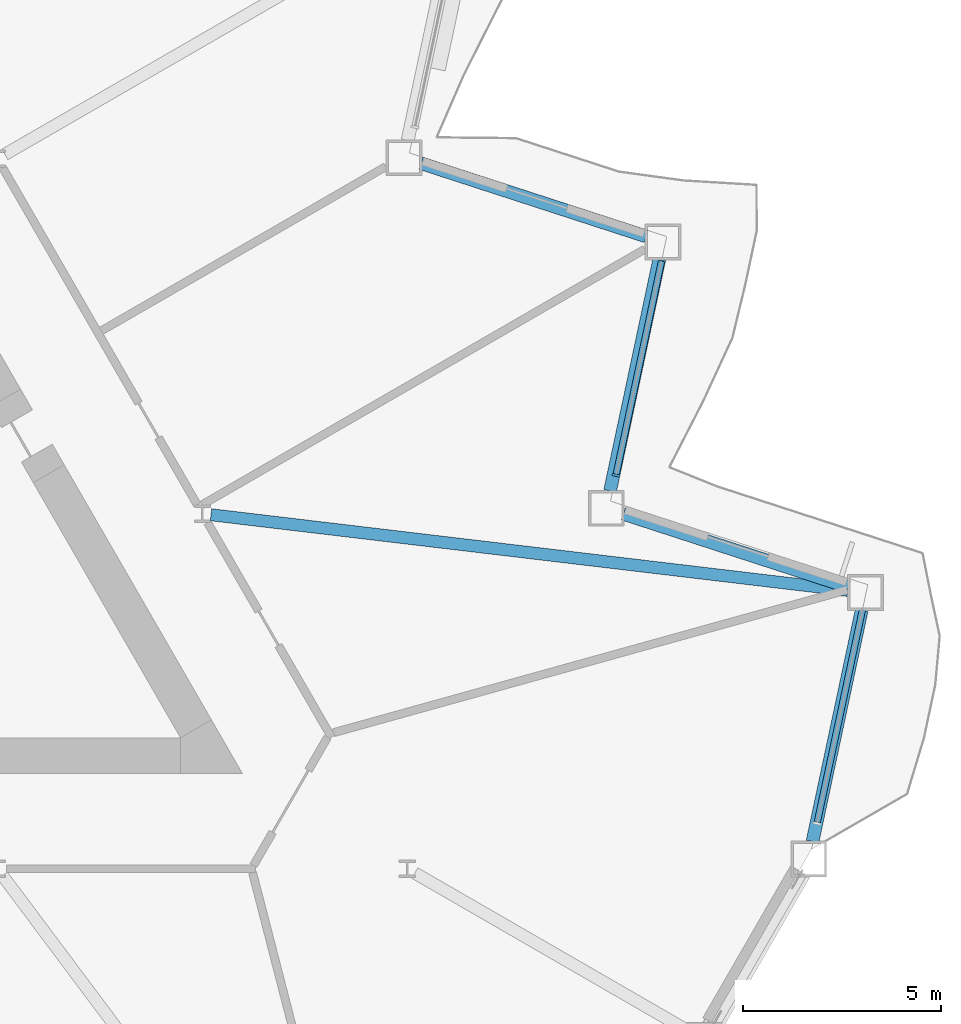
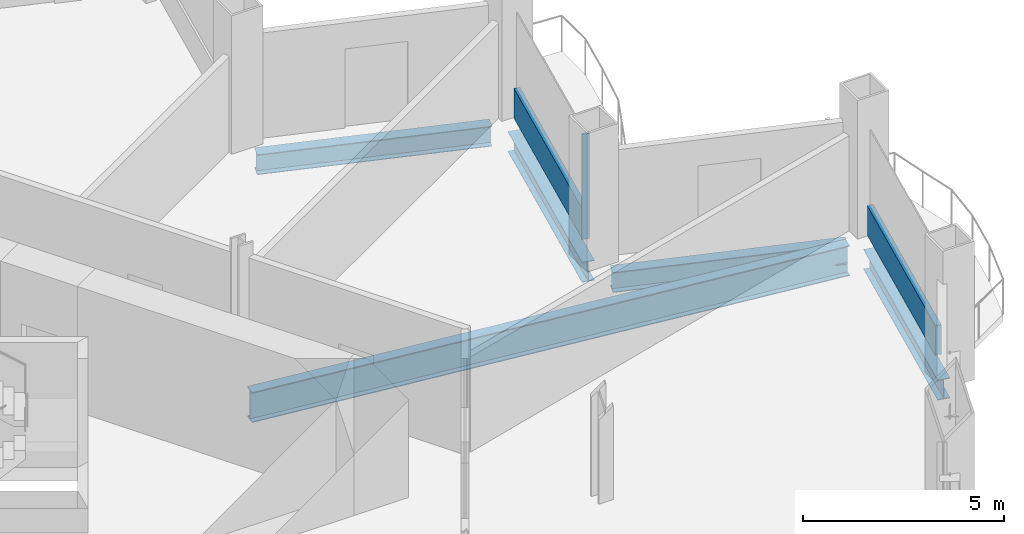
# One storey, part 6 of 21: 5 beams, 3 members, 2 elements without a shape of their own.
"""IFC4 building model written with IfcOpenShell, lengths in metres."""

import ifcopenshell
import ifcopenshell.guid

model = None  # the IFC model being written
_history = None  # IfcOwnerHistory: only IFC2X3 demands one
_inside = {}  # id of a spatial element -> (the spatial element, [elements in it])
_under = {}  # id of a project, library or spatial element -> (it, [spatial elements below it])
_declared = {}  # id of a project -> (the project, [libraries it declares])
_typed = {}  # id of a type object -> (the type object, [elements of that type])
_made_of = {}  # id of a material, layer set ... -> (it, [elements and type objects made of it])


def new_model(schema):
    """Start an empty IFC model of exactly this schema.

    Asked for "IFC4X3", IfcOpenShell would pick the latest addendum, in which some entities
    have other attributes; the version numbers below select the first issue.
    IFC2X3 requires an IfcOwnerHistory on every rooted entity: one is made here for all.
    """
    global model, _history
    if schema == "IFC4X3":
        model = ifcopenshell.file(schema_version=(4, 3, 0, 0))
    else:
        model = ifcopenshell.file(schema=schema)
    _inside.clear()
    _under.clear()
    _declared.clear()
    _typed.clear()
    _made_of.clear()
    _history = None
    if model.schema == "IFC2X3":
        org = make("IfcOrganization", Name="unknown")
        user = make(
            "IfcPersonAndOrganization",
            ThePerson=make("IfcPerson", FamilyName="unknown"),
            TheOrganization=org,
        )
        app = make(
            "IfcApplication",
            ApplicationDeveloper=org,
            Version="unknown",
            ApplicationFullName="unknown",
            ApplicationIdentifier="unknown",
        )
        _history = make(
            "IfcOwnerHistory",
            OwningUser=user,
            OwningApplication=app,
            ChangeAction="ADDED",
            CreationDate=0,
        )
    return model


def make(cls, **values):
    """One entity of the class cls with the attributes given. An attribute that is None is left unset."""
    return model.create_entity(
        cls, **{name: value for name, value in values.items() if value is not None}
    )


def rooted(cls, **values):
    """An entity with a GlobalId (a new one), such as an element, a storey or a relation."""
    return make(cls, GlobalId=ifcopenshell.guid.new(), OwnerHistory=_history, **values)


def si_unit(unit_type, name, prefix=None):
    """IfcSIUnit, for example si_unit("LENGTHUNIT", "METRE", prefix="MILLI")."""
    return make("IfcSIUnit", UnitType=unit_type, Prefix=prefix, Name=name)


def assignment(units):
    """IfcUnitAssignment: the units of a project."""
    return None if units is None else make("IfcUnitAssignment", Units=units)


def point(xyz):
    """IfcCartesianPoint."""
    return None if xyz is None else make("IfcCartesianPoint", Coordinates=xyz)


def direction(xyz):
    """IfcDirection."""
    return None if xyz is None else make("IfcDirection", DirectionRatios=xyz)


def frame(location, z_axis=None, x_axis=None):
    """IfcAxis2Placement3D, a coordinate frame: its origin and axes. An axis left out is left unset."""
    return make(
        "IfcAxis2Placement3D",
        Location=point(location),
        Axis=direction(z_axis),
        RefDirection=direction(x_axis),
    )


def frame_2d(location, x_axis=None):
    """IfcAxis2Placement2D, a coordinate frame in the plane: its origin and x axis."""
    return make(
        "IfcAxis2Placement2D", Location=point(location), RefDirection=direction(x_axis)
    )


def origin():
    """The frame at (0, 0, 0) with its axes left unset."""
    return frame((0.0, 0.0, 0.0))


def origin_2d():
    """The frame at (0, 0) in the plane with its x axis left unset."""
    return frame_2d((0.0, 0.0))


def place(relative_to, where):
    """IfcLocalPlacement: puts the frame where relative to a parent placement (None: the world)."""
    return make(
        "IfcLocalPlacement", PlacementRelTo=relative_to, RelativePlacement=where
    )


def context(
    kind, dimensions, precision=None, world=None, true_north=None, identifier=None
):
    """IfcGeometricRepresentationContext, for example the 3D "Model" context."""
    return make(
        "IfcGeometricRepresentationContext",
        ContextIdentifier=identifier,
        ContextType=kind,
        CoordinateSpaceDimension=dimensions,
        Precision=precision,
        WorldCoordinateSystem=world,
        TrueNorth=true_north,
    )


def subcontext(parent, identifier, kind, view, scale=None):
    """IfcGeometricRepresentationSubContext, for example "Body" below "Model"."""
    return make(
        "IfcGeometricRepresentationSubContext",
        ContextIdentifier=identifier,
        ContextType=kind,
        ParentContext=parent,
        TargetScale=scale,
        TargetView=view,
    )


def project(units=None, contexts=None):
    """IfcProject with its units and contexts."""
    return rooted(
        "IfcProject",
        Name="project",
        RepresentationContexts=contexts,
        UnitsInContext=assignment(units),
    )


def spatial(cls, under=None, at=None, **own):
    """A site, building, storey or space (cls), placed at a placement, below another one or the project."""
    s = rooted(cls, ObjectPlacement=at, **own)
    if under is not None:
        _under.setdefault(under.id(), (under, []))[1].append(s)
    return s


def profile(cls, at=None, kind="AREA", **sizes):
    """A parametric profile (cls). Its sizes go by their IFC names, for example OverallWidth=200.0."""
    return make(cls, ProfileType=kind, Position=at, **sizes)


def rectangle(**sizes):
    """IfcRectangleProfileDef."""
    return profile("IfcRectangleProfileDef", **sizes)


def i_section(**sizes):
    """IfcIShapeProfileDef."""
    return profile("IfcIShapeProfileDef", **sizes)


def extrude(swept, where, along, depth):
    """IfcExtrudedAreaSolid: the profile swept, set in the frame where, extruded along a direction by depth."""
    return make(
        "IfcExtrudedAreaSolid",
        SweptArea=swept,
        Position=where,
        ExtrudedDirection=direction(along),
        Depth=depth,
    )


def shape(context_of_items, identifier, shape_type, items):
    """IfcShapeRepresentation: the items that make up one representation, for example the "Body"."""
    return make(
        "IfcShapeRepresentation",
        ContextOfItems=context_of_items,
        RepresentationIdentifier=identifier,
        RepresentationType=shape_type,
        Items=items,
    )


def material(Name=None, Category=None):
    """IfcMaterial."""
    return make("IfcMaterial", Name=Name, Category=Category)


def layer(
    of_material, thickness, ventilated=None, Name=None, Category=None, Priority=None
):
    """IfcMaterialLayer: one layer of a wall or slab, of a material (None: an air gap)."""
    return make(
        "IfcMaterialLayer",
        Material=of_material,
        LayerThickness=thickness,
        IsVentilated=ventilated,
        Name=Name,
        Category=Category,
        Priority=Priority,
    )


def layer_set(layers, Name=None):
    """IfcMaterialLayerSet."""
    return make("IfcMaterialLayerSet", MaterialLayers=layers, LayerSetName=Name)


def material_profile(
    of_material, cross_section, Name=None, Category=None, Priority=None
):
    """IfcMaterialProfile: a cross section and its material."""
    return make(
        "IfcMaterialProfile",
        Name=Name,
        Material=of_material,
        Profile=cross_section,
        Priority=Priority,
        Category=Category,
    )


def profile_set(profiles, Name=None, composite=None):
    """IfcMaterialProfileSet."""
    return make(
        "IfcMaterialProfileSet",
        Name=Name,
        MaterialProfiles=profiles,
        CompositeProfile=composite,
    )


def made_of(thing, what):
    """Note that an element or type object is made of a material, layer set ...; save() writes the relation."""
    if what is not None:
        _made_of.setdefault(what.id(), (what, []))[1].append(thing)
    return thing


def type_object(cls, material=None, **own):
    """A type object (cls), such as IfcWallType, which elements share."""
    return made_of(rooted(cls, **own), material)


def element(
    cls,
    number,
    at=None,
    inside=None,
    cuts=None,
    type_object=None,
    material=None,
    context=None,
    identifier="Body",
    shape_type=None,
    held_by="IfcProductDefinitionShape",
    body=None,
    shapes=None,
    **own,
):
    """One element of the class cls, such as IfcWall. Its Tag is "e" and its number.

    at: its placement. inside: the storey or other place that contains it. cuts: it is an
    opening in that element (IfcRelVoidsElement). A single representation is given by context,
    identifier, shape_type and body (its items); several are given by shapes. held_by: the class
    of the entity that holds the representations. save() writes the other relations.
    """
    e = rooted(cls, Tag="e%d" % number, ObjectPlacement=at, **own)
    if body is not None:
        shapes = [shape(context, identifier, shape_type, body)]
    if shapes is not None:
        e.Representation = make(held_by, Representations=shapes)
    if inside is not None:
        _inside.setdefault(inside.id(), (inside, []))[1].append(e)
    if cuts is not None:
        rooted(
            "IfcRelVoidsElement", RelatingBuildingElement=cuts, RelatedOpeningElement=e
        )
    if type_object is not None:
        _typed.setdefault(type_object.id(), (type_object, []))[1].append(e)
    return made_of(e, material)


def aggregate(whole, parts):
    """IfcRelAggregates: a whole, such as a stair, and the parts it consists of."""
    return rooted("IfcRelAggregates", RelatingObject=whole, RelatedObjects=parts)


def save(model, path):
    """Write the relations noted so far, then the file.

    IfcRelAggregates (storeys below a building ...), IfcRelContainedInSpatialStructure (elements
    in a storey), IfcRelDefinesByType, IfcRelAssociatesMaterial and IfcRelDeclares: one each for
    every whole, place, type object, material and project.
    """
    for whole, parts in _under.values():
        aggregate(whole, parts)
    for where, things in _inside.values():
        rooted(
            "IfcRelContainedInSpatialStructure",
            RelatedElements=things,
            RelatingStructure=where,
        )
    for kind, things in _typed.values():
        rooted("IfcRelDefinesByType", RelatedObjects=things, RelatingType=kind)
    for what, things in _made_of.values():
        rooted("IfcRelAssociatesMaterial", RelatedObjects=things, RelatingMaterial=what)
    for by, libraries in _declared.values():
        rooted("IfcRelDeclares", RelatingContext=by, RelatedDefinitions=libraries)
    model.write(path)


model = new_model("IFC4")

# Units and contexts
model_context = context("Model", 3, precision=1e-05, world=origin(), true_north=direction((0.0, 1.0)))
body_context = subcontext(model_context, "Body", "Model", "MODEL_VIEW")
ifc_project = project(units=[si_unit("LENGTHUNIT", "METRE"), si_unit("AREAUNIT", "SQUARE_METRE"), si_unit("VOLUMEUNIT", "CUBIC_METRE"), si_unit("PLANEANGLEUNIT", "RADIAN"), si_unit("MASSUNIT", "GRAM", prefix="KILO")], contexts=[model_context])

# Site, building, storey
site_placement = place(None, origin())
site = spatial("IfcSite", under=ifc_project, at=site_placement, CompositionType="ELEMENT")
building_placement = place(site_placement, origin())
building = spatial("IfcBuilding", under=site, at=building_placement, Name="Cormorant Prow Tower", CompositionType="ELEMENT")
storey_placement = place(building_placement, frame((0.0, 0.0, 137.39990234375)))
storey = spatial("IfcBuildingStorey", under=building, at=storey_placement, Name="L29", CompositionType="ELEMENT", Elevation=137.39990234375)

# Curtain wall, member
ifc_material_1 = material(Name="Aluminium 6063-T6", Category="aluminium")
ifc_layer = layer(ifc_material_1, 0.199951171875)
ifc_layer_set = layer_set([ifc_layer], Name="Aluminium 6063-T6")
curtain_wall_type = type_object("IfcCurtainWallType", Name="Office unitised curtain wall 200", PredefinedType="NOTDEFINED", material=ifc_layer_set)
curtain_wall_1_placement = place(storey_placement, origin())
curtain_wall_1 = element("IfcCurtainWall", 1, at=curtain_wall_1_placement, inside=storey, type_object=curtain_wall_type, Name="Office curtain wall ENE02", PredefinedType="NOTDEFINED")
ifc_material_2 = material(Name="Aluminium 6063-T6", Category="aluminium")
ifc_material_profile_1 = material_profile(ifc_material_2, rectangle(XDim=0.199951171875, YDim=0.06005859375, at=origin_2d()), Name="Office mullion 60x200")
ifc_profile_set_1 = profile_set([ifc_material_profile_1], Name="Aluminium 6063-T6")
member_type_1 = type_object("IfcMemberType", Name="Office mullion 60x200", PredefinedType="MULLION", material=ifc_profile_set_1)
member_1_placement = place(storey_placement, frame((25.911376953125, -2.012451171875, 0.0), z_axis=(0.0, 0.0, 1.0), x_axis=(-0.978147594572, 0.207911719806, 0.0)))
member_1 = element("IfcMember", 2, at=member_1_placement, type_object=member_type_1, Name="Office mullion ENE02", PredefinedType="MULLION", context=body_context, shape_type="SweptSolid", body=[
    extrude(rectangle(XDim=0.199951171875, YDim=0.06005859375, at=origin_2d()), origin(), (0.0, 0.0, 1.0), 3.18896484375),
])

curtain_wall_2_placement = place(storey_placement, origin())
curtain_wall_2 = element("IfcCurtainWall", 3, at=curtain_wall_2_placement, inside=storey, type_object=curtain_wall_type, Name="Office curtain wall ENE00", PredefinedType="NOTDEFINED")
ifc_material_3 = material(Name="Terracotta", Category="masonry")
ifc_material_profile_2 = material_profile(ifc_material_3, rectangle(XDim=0.159912109375, YDim=0.89990234375, at=origin_2d()), Name="Office terracotta spandrel rail 160x900")
ifc_profile_set_2 = profile_set([ifc_material_profile_2], Name="Terracotta")
member_type_2 = type_object("IfcMemberType", Name="Office terracotta spandrel rail 160x900", PredefinedType="USERDEFINED", material=ifc_profile_set_2)
member_2_placement = place(storey_placement, frame((30.982177734375, -10.755126953125, 0.4501953125), z_axis=(0.207901892463, 0.978149683387, 0.0), x_axis=(-0.978149683387, 0.207901892463, 0.0)))
member_2 = element("IfcMember", 4, at=member_2_placement, type_object=member_type_2, Name="Office spandrel rail ENE00", ObjectType="TRANSOM", PredefinedType="USERDEFINED", context=body_context, shape_type="SweptSolid", body=[
    extrude(rectangle(XDim=0.159912109375, YDim=0.89990234375, at=origin_2d()), origin(), (0.0, 0.0, 1.0), 5.48291015625),
])
aggregate(curtain_wall_2, [member_2])

# Member
member_3_placement = place(storey_placement, frame((25.917724609375, -1.983154296875, 0.4501953125), z_axis=(0.207901892463, 0.978149683387, 0.0), x_axis=(-0.978149683387, 0.207901892463, 0.0)))
member_3 = element("IfcMember", 5, at=member_3_placement, type_object=member_type_2, Name="Office spandrel rail ENE02", ObjectType="TRANSOM", PredefinedType="USERDEFINED", context=body_context, shape_type="SweptSolid", body=[
    extrude(rectangle(XDim=0.159912109375, YDim=0.89990234375, at=origin_2d()), origin(), (0.0, 0.0, 1.0), 5.48291015625),
])

aggregate(curtain_wall_1, [member_1, member_3])

# Beams
ifc_material_4 = material(Name="Structural steel ASTM A992 Gr 50", Category="steel")
ifc_material_profile_3 = material_profile(ifc_material_4, i_section(OverallWidth=0.3046875, OverallDepth=0.914794921875, WebThickness=0.0166015625, FlangeThickness=0.02587890625, at=origin_2d()), Name="W36x160")
ifc_profile_set_3 = profile_set([ifc_material_profile_3], Name="Structural steel ASTM A992 Gr 50")
beam_type_1 = type_object("IfcBeamType", Name="Radial floor beam W36x160", PredefinedType="BEAM", material=ifc_profile_set_3)
beam_1_placement = place(storey_placement, frame((15.70849609375, -3.00732421875, -0.857177734375), z_axis=(0.993009167646, -0.118037252474, 0.0), x_axis=(0.118037252474, 0.993009167646, 0.0)))
element("IfcBeam", 6, at=beam_1_placement, inside=storey, type_object=beam_type_1, Name="Radial floor beam FB1 10 L29", PredefinedType="BEAM", context=body_context, shape_type="SweptSolid", body=[
    extrude(i_section(OverallWidth=0.3046875, OverallDepth=0.914794921875, WebThickness=0.0166015625, FlangeThickness=0.02587890625, at=origin_2d()), origin(), (0.0, 0.0, 1.0), 16.15380859375),
])
ifc_material_5 = material(Name="Structural steel ASTM A992 Gr 50", Category="steel")
ifc_material_profile_4 = material_profile(ifc_material_5, i_section(OverallWidth=0.32373046875, OverallDepth=0.611083984375, WebThickness=0.0126953125, FlangeThickness=0.01904296875, at=origin_2d()), Name="W24x104")
ifc_profile_set_4 = profile_set([ifc_material_profile_4], Name="Structural steel ASTM A992 Gr 50")
beam_type_2 = type_object("IfcBeamType", Name="Spandrel beam W24x104", PredefinedType="SPANDREL", material=ifc_profile_set_4)
beam_2_placement = place(storey_placement, frame((30.86279296875, -11.23974609375, -0.70556640625), z_axis=(0.207912620873, 0.978147403044, 0.0), x_axis=(-0.978147403044, 0.207912620873, 0.0)))
element("IfcBeam", 7, at=beam_2_placement, inside=storey, type_object=beam_type_2, Name="Spandrel beam SB1 ENE00-ENE01 L29", PredefinedType="SPANDREL", context=body_context, shape_type="SweptSolid", body=[
    extrude(i_section(OverallWidth=0.32373046875, OverallDepth=0.611083984375, WebThickness=0.0126953125, FlangeThickness=0.01904296875, at=origin_2d()), origin(), (0.0, 0.0, 1.0), 5.962890625),
])
for number, where, z_axis, x_axis, name in (
    (8, (31.768310546875, -4.828125, -0.70556640625), (-0.951059340519, 0.309008302174, 0.0), (-0.309008302174, -0.951059340519, 0.0), "Spandrel beam SB1 ENE01-ENE02 L29"),
    (9, (25.762939453125, -2.40625, -0.70556640625), (0.207920947907, 0.978145633033, 0.0), (-0.978145633033, 0.207920947907, 0.0), "Spandrel beam SB1 ENE02-ENE03 L29"),
):
    element("IfcBeam", number, at=place(storey_placement, frame(where, z_axis=z_axis, x_axis=x_axis)), inside=storey, type_object=beam_type_2, Name=name, PredefinedType="SPANDREL", context=body_context, shape_type="SweptSolid", body=[
        extrude(i_section(OverallWidth=0.32373046875, OverallDepth=0.611083984375, WebThickness=0.0126953125, FlangeThickness=0.01904296875, at=origin_2d()), origin(), (0.0, 0.0, 1.0), 5.962646484375),
    ])
beam_3_placement = place(storey_placement, frame((26.668212890625, 4.00537109375, -0.70556640625), z_axis=(-0.951055430656, 0.309020335608, 0.0), x_axis=(-0.309020335608, -0.951055430656, 0.0)))
element("IfcBeam", 10, at=beam_3_placement, inside=storey, type_object=beam_type_2, Name="Spandrel beam SB1 ENE03-ENE04 L29", PredefinedType="SPANDREL", context=body_context, shape_type="SweptSolid", body=[
    extrude(i_section(OverallWidth=0.32373046875, OverallDepth=0.611083984375, WebThickness=0.0126953125, FlangeThickness=0.01904296875, at=origin_2d()), origin(), (0.0, 0.0, 1.0), 5.96240234375),
])

save(model, "model.ifc")
